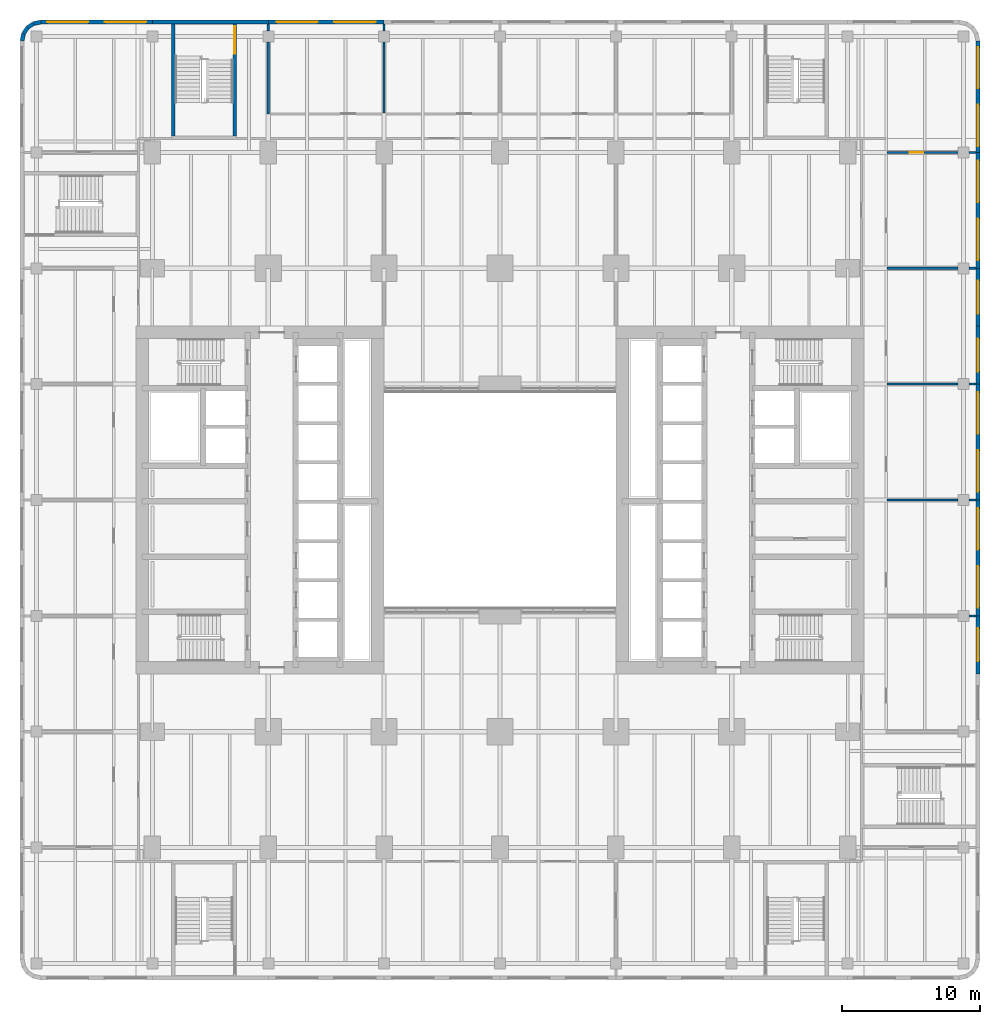
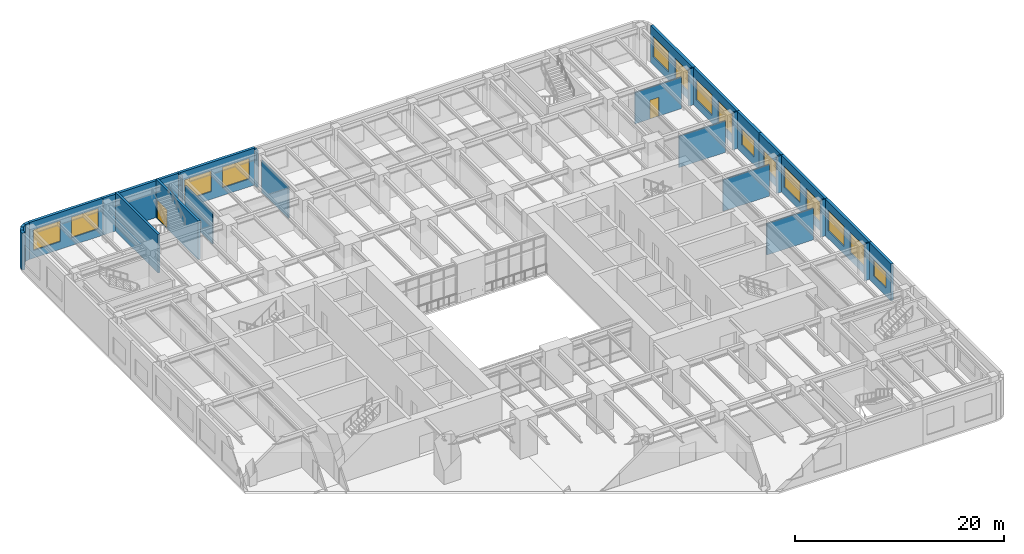
# One storey, part 14 of 26: 29 walls, 15 windows, 2 doors, 17 openings.
"""IFC4 building model written with IfcOpenShell, lengths in metres."""

from ifc_helpers import new_model, si_unit, direction, frame, frame_2d, origin, place, context, subcontext, project, spatial, rectangle, extrude, material, layer, layer_set, type_object, element, fill, save


model = new_model("IFC4")

# Units and contexts
model_context = context("Model", 3, precision=1e-05, world=origin(), true_north=direction((0.0, 1.0)))
body_context = subcontext(model_context, "Body", "Model", "MODEL_VIEW")
ifc_project = project(units=[si_unit("LENGTHUNIT", "METRE"), si_unit("AREAUNIT", "SQUARE_METRE"), si_unit("VOLUMEUNIT", "CUBIC_METRE"), si_unit("PLANEANGLEUNIT", "RADIAN"), si_unit("MASSUNIT", "GRAM", prefix="KILO")], contexts=[model_context])

# Site, building, storey
site_placement = place(None, origin())
site = spatial("IfcSite", under=ifc_project, at=site_placement, CompositionType="ELEMENT")
building_placement = place(site_placement, origin())
building = spatial("IfcBuilding", under=site, at=building_placement, Name="Claustro Exchange Tower", CompositionType="ELEMENT")
storey_placement = place(building_placement, frame((0.0, 0.0, 9.89990234375)))
storey = spatial("IfcBuildingStorey", under=building, at=storey_placement, Name="L02", CompositionType="ELEMENT", Elevation=9.89990234375)

# Wall, opening, door
ifc_material_1 = material(Name="Gypsum board on steel studs", Category="steel")
ifc_layer_1 = layer(ifc_material_1, 0.14990234375)
ifc_layer_set_1 = layer_set([ifc_layer_1], Name="Gypsum board on steel studs")
wall_type_1 = type_object("IfcWallType", Name="P1 150 plasterboard partition", PredefinedType="PARTITIONING", material=ifc_layer_set_1)
wall_1_placement = place(storey_placement, frame((53.27392578125, 50.39990234375, 0.0), z_axis=(0.0, 0.0, 1.0), x_axis=(1.0, 0.0, 0.0)))
wall_1 = element("IfcWall", 1, at=wall_1_placement, inside=storey, type_object=wall_type_1, Name="Partition P1 L02", PredefinedType="PARTITIONING", context=body_context, shape_type="SweptSolid", body=[
    extrude(rectangle(XDim=5.126953125, YDim=0.14990234375, at=frame_2d((2.5634765625, 0.0))), origin(), (0.0, 0.0, 1.0), 3.650146484375),
])
opening_1_placement = place(wall_1_placement, frame((1.6259765625, 0.0, 0.0)))
opening_1 = element("IfcOpeningElement", 2, at=opening_1_placement, cuts=wall_1, Name="Opening D1", PredefinedType="OPENING", context=body_context, shape_type="SweptSolid", body=[
    extrude(rectangle(XDim=1.0, YDim=2.199951171875, at=frame_2d((0.5, 1.10009765625))), frame((0.0, 0.0849609375, 0.0), z_axis=(0.0, -1.0, 0.0), x_axis=(1.0, 0.0, 0.0)), (0.0, 0.0, 1.0), 0.169921875),
])
ifc_material_2 = material(Name="Timber door, oak veneer", Category="wood")
door_type_1 = type_object("IfcDoorType", Name="D1 1000 x 2200 single door", OperationType="SINGLE_SWING_LEFT", PredefinedType="DOOR", material=ifc_material_2)
door_1_placement = place(opening_1_placement, origin())
door_1 = element("IfcDoor", 3, at=door_1_placement, inside=storey, type_object=door_type_1, Name="Door D1 L02", OperationType="SINGLE_SWING_LEFT", OverallHeight=2.199951171875, OverallWidth=1.0, PredefinedType="DOOR", context=body_context, shape_type="SweptSolid", body=[
    extrude(rectangle(XDim=1.0, YDim=2.199951171875, at=frame_2d((0.5, 1.10009765625))), frame((0.0, 0.02490234375, 0.0), z_axis=(0.0, -1.0, 0.0), x_axis=(1.0, 0.0, 0.0)), (0.0, 0.0, 1.0), 0.050048828125),
])
fill(opening_1, door_1)

# Walls
wall_2_placement = place(storey_placement, frame((59.198974609375, 50.39990234375, 0.0), z_axis=(0.0, 0.0, 1.0), x_axis=(1.0, 0.0, 0.0)))
element("IfcWall", 4, at=wall_2_placement, inside=storey, type_object=wall_type_1, Name="Partition P1 L02", PredefinedType="PARTITIONING", context=body_context, shape_type="SweptSolid", body=[
    extrude(rectangle(XDim=0.5029296875, YDim=0.14990234375, at=frame_2d((0.25146484375, 0.0))), origin(), (0.0, 0.0, 1.0), 4.300048828125),
])
wall_3_placement = place(storey_placement, frame((8.39990234375, 53.199951171875, 0.0), z_axis=(0.0, 0.0, 1.0), x_axis=(0.0, 1.0, 0.0)))
element("IfcWall", 5, at=wall_3_placement, inside=storey, type_object=wall_type_1, Name="Partition P1 L02", PredefinedType="PARTITIONING", context=body_context, shape_type="SweptSolid", body=[
    extrude(rectangle(XDim=5.200927734375, YDim=0.14990234375, at=frame_2d((2.6005859375, 0.0))), origin(), (0.0, 0.0, 1.0), 3.650146484375),
])
wall_4_placement = place(storey_placement, frame((8.39990234375, 59.198974609375, 0.0), z_axis=(0.0, 0.0, 1.0), x_axis=(0.0, 1.0, 0.0)))
element("IfcWall", 6, at=wall_4_placement, inside=storey, type_object=wall_type_1, Name="Partition P1 L02", PredefinedType="PARTITIONING", context=body_context, shape_type="SweptSolid", body=[
    extrude(rectangle(XDim=0.5029296875, YDim=0.14990234375, at=frame_2d((0.25146484375, 0.0))), origin(), (0.0, 0.0, 1.0), 4.300048828125),
])
wall_5_placement = place(storey_placement, frame((16.800048828125, 53.27392578125, 0.0), z_axis=(0.0, 0.0, 1.0), x_axis=(0.0, 1.0, 0.0)))
element("IfcWall", 7, at=wall_5_placement, inside=storey, type_object=wall_type_1, Name="Partition P1 L02", PredefinedType="PARTITIONING", context=body_context, shape_type="SweptSolid", body=[
    extrude(rectangle(XDim=5.126953125, YDim=0.14990234375, at=frame_2d((2.5634765625, 0.0))), origin(), (0.0, 0.0, 1.0), 3.650146484375),
])
for number, where, z_axis, x_axis, name in (
    (8, (16.800048828125, 59.198974609375, 0.0), (0.0, 0.0, 1.0), (0.0, 1.0, 0.0), "Partition P1 L02"),
    (9, (59.198974609375, 16.800048828125, 0.0), (0.0, 0.0, 1.0), (1.0, 0.0, 0.0), "Partition P1 L02"),
):
    element("IfcWall", number, at=place(storey_placement, frame(where, z_axis=z_axis, x_axis=x_axis)), inside=storey, type_object=wall_type_1, Name=name, PredefinedType="PARTITIONING", context=body_context, shape_type="SweptSolid", body=[
        extrude(rectangle(XDim=0.5029296875, YDim=0.14990234375, at=frame_2d((0.25146484375, 0.0))), origin(), (0.0, 0.0, 1.0), 4.300048828125),
    ])
wall_6_placement = place(storey_placement, frame((53.27392578125, 25.199951171875, 0.0), z_axis=(0.0, 0.0, 1.0), x_axis=(1.0, 0.0, 0.0)))
element("IfcWall", 10, at=wall_6_placement, inside=storey, type_object=wall_type_1, Name="Partition P1 L02", PredefinedType="PARTITIONING", context=body_context, shape_type="SweptSolid", body=[
    extrude(rectangle(XDim=5.126953125, YDim=0.14990234375, at=frame_2d((2.5634765625, 0.0))), origin(), (0.0, 0.0, 1.0), 3.650146484375),
])
wall_7_placement = place(storey_placement, frame((59.198974609375, 25.199951171875, 0.0), z_axis=(0.0, 0.0, 1.0), x_axis=(1.0, 0.0, 0.0)))
element("IfcWall", 11, at=wall_7_placement, inside=storey, type_object=wall_type_1, Name="Partition P1 L02", PredefinedType="PARTITIONING", context=body_context, shape_type="SweptSolid", body=[
    extrude(rectangle(XDim=0.5029296875, YDim=0.14990234375, at=frame_2d((0.25146484375, 0.0))), origin(), (0.0, 0.0, 1.0), 4.300048828125),
])
wall_8_placement = place(storey_placement, frame((53.27392578125, 33.60009765625, 0.0), z_axis=(0.0, 0.0, 1.0), x_axis=(1.0, 0.0, 0.0)))
element("IfcWall", 12, at=wall_8_placement, inside=storey, type_object=wall_type_1, Name="Partition P1 L02", PredefinedType="PARTITIONING", context=body_context, shape_type="SweptSolid", body=[
    extrude(rectangle(XDim=5.126953125, YDim=0.14990234375, at=frame_2d((2.5634765625, 0.0))), origin(), (0.0, 0.0, 1.0), 3.650146484375),
])
wall_9_placement = place(storey_placement, frame((59.198974609375, 33.60009765625, 0.0), z_axis=(0.0, 0.0, 1.0), x_axis=(1.0, 0.0, 0.0)))
element("IfcWall", 13, at=wall_9_placement, inside=storey, type_object=wall_type_1, Name="Partition P1 L02", PredefinedType="PARTITIONING", context=body_context, shape_type="SweptSolid", body=[
    extrude(rectangle(XDim=0.5029296875, YDim=0.14990234375, at=frame_2d((0.25146484375, 0.0))), origin(), (0.0, 0.0, 1.0), 4.300048828125),
])
wall_10_placement = place(storey_placement, frame((53.27392578125, 42.0, 0.0), z_axis=(0.0, 0.0, 1.0), x_axis=(1.0, 0.0, 0.0)))
element("IfcWall", 14, at=wall_10_placement, inside=storey, type_object=wall_type_1, Name="Partition P1 L02", PredefinedType="PARTITIONING", context=body_context, shape_type="SweptSolid", body=[
    extrude(rectangle(XDim=5.126953125, YDim=0.14990234375, at=frame_2d((2.5634765625, 0.0))), origin(), (0.0, 0.0, 1.0), 3.650146484375),
])
wall_11_placement = place(storey_placement, frame((59.198974609375, 42.0, 0.0), z_axis=(0.0, 0.0, 1.0), x_axis=(1.0, 0.0, 0.0)))
element("IfcWall", 15, at=wall_11_placement, inside=storey, type_object=wall_type_1, Name="Partition P1 L02", PredefinedType="PARTITIONING", context=body_context, shape_type="SweptSolid", body=[
    extrude(rectangle(XDim=0.5029296875, YDim=0.14990234375, at=frame_2d((0.25146484375, 0.0))), origin(), (0.0, 0.0, 1.0), 4.300048828125),
])
ifc_material_3 = material(Name="Concrete HA-40 (C40/50), precast, white cement, acid-etched", Category="concrete")
ifc_layer_2 = layer(ifc_material_3, 0.300048828125)
ifc_layer_set_2 = layer_set([ifc_layer_2], Name="Concrete HA-40 (C40/50), precast, white cement, acid-etched")
wall_type_2 = type_object("IfcWallType", Name="PC1 300 precast concrete pier panel", PredefinedType="SOLIDWALL", material=ifc_layer_set_2)
wall_12_placement = place(storey_placement, frame((-9.449951171875, 58.485107421875, 0.0), z_axis=(0.0, 0.0, 1.0), x_axis=(0.195073962632, 0.980788534345, 0.0)))
element("IfcWall", 16, at=wall_12_placement, inside=storey, type_object=wall_type_2, Name="Precast pier panel PC1 L02", PredefinedType="SOLIDWALL", context=body_context, shape_type="SweptSolid", body=[
    extrude(rectangle(XDim=0.540771484375, YDim=0.300048828125, at=frame_2d((0.2705078125, 0.0))), origin(), (0.0, 0.0, 1.0), 4.300048828125),
])
wall_13_placement = place(storey_placement, frame((-9.344482421875, 59.015380859375, 0.0), z_axis=(0.0, 0.0, 1.0), x_axis=(0.55534295404, 0.831621430339, 0.0)))
element("IfcWall", 17, at=wall_13_placement, inside=storey, type_object=wall_type_2, Name="Precast pier panel PC1 L02", PredefinedType="SOLIDWALL", context=body_context, shape_type="SweptSolid", body=[
    extrude(rectangle(XDim=0.52587890625, YDim=0.300048828125, at=frame_2d((0.262939453125, 0.0))), origin(), (0.0, 0.0, 1.0), 4.300048828125),
])
wall_14_placement = place(storey_placement, frame((-9.052490234375, 59.45263671875, 0.0), z_axis=(0.0, 0.0, 1.0), x_axis=(0.831692711774, 0.555236195849, 0.0)))
element("IfcWall", 18, at=wall_14_placement, inside=storey, type_object=wall_type_2, Name="Precast pier panel PC1 L02", PredefinedType="SOLIDWALL", context=body_context, shape_type="SweptSolid", body=[
    extrude(rectangle(XDim=0.525390625, YDim=0.300048828125, at=frame_2d((0.2626953125, 0.0))), origin(), (0.0, 0.0, 1.0), 4.300048828125),
])
wall_15_placement = place(storey_placement, frame((-8.615478515625, 59.744384765625, 0.0), z_axis=(0.0, 0.0, 1.0), x_axis=(0.980702050465, 0.1955082817, 0.0)))
element("IfcWall", 19, at=wall_15_placement, inside=storey, type_object=wall_type_2, Name="Precast pier panel PC1 L02", PredefinedType="SOLIDWALL", context=body_context, shape_type="SweptSolid", body=[
    extrude(rectangle(XDim=0.540771484375, YDim=0.300048828125, at=frame_2d((0.2705078125, 0.0))), origin(), (0.0, 0.0, 1.0), 4.300048828125),
])

# Wall, openings, windows
wall_16_placement = place(storey_placement, frame((-8.085205078125, 59.85009765625, 0.0), z_axis=(0.0, 0.0, 1.0), x_axis=(1.0, 0.0, 0.0)))
wall_16 = element("IfcWall", 20, at=wall_16_placement, inside=storey, type_object=wall_type_2, Name="Precast pier panel PC1 L02", PredefinedType="SOLIDWALL", context=body_context, shape_type="SweptSolid", body=[
    extrude(rectangle(XDim=8.085205078125, YDim=0.300048828125, at=frame_2d((4.04248046875, 0.0))), origin(), (0.0, 0.0, 1.0), 4.300048828125),
])
opening_2_placement = place(wall_16_placement, frame((0.442626953125, 0.0, 0.89990234375)))
opening_2 = element("IfcOpeningElement", 21, at=opening_2_placement, cuts=wall_16, Name="Opening W3", PredefinedType="OPENING", context=body_context, shape_type="SweptSolid", body=[
    extrude(rectangle(XDim=3.0, YDim=2.39990234375, at=frame_2d((1.5, 1.199951171875))), frame((0.0, 0.159912109375, 0.0), z_axis=(0.0, -1.0, 0.0), x_axis=(1.0, 0.0, 0.0)), (0.0, 0.0, 1.0), 0.320068359375),
])
opening_3_placement = place(wall_16_placement, frame((4.642578125, 0.0, 0.89990234375)))
opening_3 = element("IfcOpeningElement", 22, at=opening_3_placement, cuts=wall_16, Name="Opening W3", PredefinedType="OPENING", context=body_context, shape_type="SweptSolid", body=[
    extrude(rectangle(XDim=3.0, YDim=2.39990234375, at=frame_2d((1.5, 1.199951171875))), frame((0.0, 0.159912109375, 0.0), z_axis=(0.0, -1.0, 0.0), x_axis=(1.0, 0.0, 0.0)), (0.0, 0.0, 1.0), 0.320068359375),
])
ifc_material_4 = material(Name="Aluminium frame, clear double glazing", Category="aluminium")
window_type_1 = type_object("IfcWindowType", Name="W3 3000 x 2400 window", PartitioningType="SINGLE_PANEL", PredefinedType="WINDOW", material=ifc_material_4)
window_1_placement = place(opening_2_placement, origin())
window_1 = element("IfcWindow", 23, at=window_1_placement, inside=storey, type_object=window_type_1, Name="Window W3 L02", OverallHeight=2.39990234375, OverallWidth=3.0, PartitioningType="SINGLE_PANEL", PredefinedType="WINDOW", context=body_context, shape_type="SweptSolid", body=[
    extrude(rectangle(XDim=3.0, YDim=2.39990234375, at=frame_2d((1.5, 1.199951171875))), frame((0.0, 0.030029296875, 0.0), z_axis=(0.0, -1.0, 0.0), x_axis=(1.0, 0.0, 0.0)), (0.0, 0.0, 1.0), 0.06005859375),
])
fill(opening_2, window_1)
window_2_placement = place(opening_3_placement, origin())
window_2 = element("IfcWindow", 24, at=window_2_placement, inside=storey, type_object=window_type_1, Name="Window W3 L02", OverallHeight=2.39990234375, OverallWidth=3.0, PartitioningType="SINGLE_PANEL", PredefinedType="WINDOW", context=body_context, shape_type="SweptSolid", body=[
    extrude(rectangle(XDim=3.0, YDim=2.39990234375, at=frame_2d((1.5, 1.199951171875))), frame((0.0, 0.030029296875, 0.0), z_axis=(0.0, -1.0, 0.0), x_axis=(1.0, 0.0, 0.0)), (0.0, 0.0, 1.0), 0.06005859375),
])
fill(opening_3, window_2)

# Wall
wall_17_placement = place(storey_placement, frame((0.0, 59.85009765625, 0.0), z_axis=(0.0, 0.0, 1.0), x_axis=(1.0, 0.0, 0.0)))
element("IfcWall", 25, at=wall_17_placement, inside=storey, type_object=wall_type_2, Name="Precast pier panel PC1 L02", PredefinedType="SOLIDWALL", context=body_context, shape_type="SweptSolid", body=[
    extrude(rectangle(XDim=8.39990234375, YDim=0.300048828125, at=frame_2d((4.199951171875, 0.0))), origin(), (0.0, 0.0, 1.0), 4.300048828125),
])

# Wall, openings, windows
wall_18_placement = place(storey_placement, frame((8.39990234375, 59.85009765625, 0.0), z_axis=(0.0, 0.0, 1.0), x_axis=(1.0, 0.0, 0.0)))
wall_18 = element("IfcWall", 26, at=wall_18_placement, inside=storey, type_object=wall_type_2, Name="Precast pier panel PC1 L02", PredefinedType="SOLIDWALL", context=body_context, shape_type="SweptSolid", body=[
    extrude(rectangle(XDim=8.400146484375, YDim=0.300048828125, at=frame_2d((4.2001953125, 0.0))), origin(), (0.0, 0.0, 1.0), 4.300048828125),
])
opening_4_placement = place(wall_18_placement, frame((0.60009765625, 0.0, 0.89990234375)))
opening_4 = element("IfcOpeningElement", 27, at=opening_4_placement, cuts=wall_18, Name="Opening W3", PredefinedType="OPENING", context=body_context, shape_type="SweptSolid", body=[
    extrude(rectangle(XDim=3.0, YDim=2.39990234375, at=frame_2d((1.5, 1.199951171875))), frame((0.0, 0.159912109375, 0.0), z_axis=(0.0, -1.0, 0.0), x_axis=(1.0, 0.0, 0.0)), (0.0, 0.0, 1.0), 0.320068359375),
])
opening_5_placement = place(wall_18_placement, frame((4.800048828125, 0.0, 0.89990234375)))
opening_5 = element("IfcOpeningElement", 28, at=opening_5_placement, cuts=wall_18, Name="Opening W3", PredefinedType="OPENING", context=body_context, shape_type="SweptSolid", body=[
    extrude(rectangle(XDim=3.0, YDim=2.39990234375, at=frame_2d((1.5, 1.199951171875))), frame((0.0, 0.159912109375, 0.0), z_axis=(0.0, -1.0, 0.0), x_axis=(1.0, 0.0, 0.0)), (0.0, 0.0, 1.0), 0.320068359375),
])
window_3_placement = place(opening_4_placement, origin())
window_3 = element("IfcWindow", 29, at=window_3_placement, inside=storey, type_object=window_type_1, Name="Window W3 L02", OverallHeight=2.39990234375, OverallWidth=3.0, PartitioningType="SINGLE_PANEL", PredefinedType="WINDOW", context=body_context, shape_type="SweptSolid", body=[
    extrude(rectangle(XDim=3.0, YDim=2.39990234375, at=frame_2d((1.5, 1.199951171875))), frame((0.0, 0.030029296875, 0.0), z_axis=(0.0, -1.0, 0.0), x_axis=(1.0, 0.0, 0.0)), (0.0, 0.0, 1.0), 0.06005859375),
])
fill(opening_4, window_3)
window_4_placement = place(opening_5_placement, origin())
window_4 = element("IfcWindow", 30, at=window_4_placement, inside=storey, type_object=window_type_1, Name="Window W3 L02", OverallHeight=2.39990234375, OverallWidth=3.0, PartitioningType="SINGLE_PANEL", PredefinedType="WINDOW", context=body_context, shape_type="SweptSolid", body=[
    extrude(rectangle(XDim=3.0, YDim=2.39990234375, at=frame_2d((1.5, 1.199951171875))), frame((0.0, 0.030029296875, 0.0), z_axis=(0.0, -1.0, 0.0), x_axis=(1.0, 0.0, 0.0)), (0.0, 0.0, 1.0), 0.06005859375),
])
fill(opening_5, window_4)

wall_19_placement = place(storey_placement, frame((59.85009765625, 58.485107421875, 0.0), z_axis=(0.0, 0.0, 1.0), x_axis=(0.0, -1.0, 0.0)))
wall_19 = element("IfcWall", 31, at=wall_19_placement, inside=storey, type_object=wall_type_2, Name="Precast pier panel PC1 L02", PredefinedType="SOLIDWALL", context=body_context, shape_type="SweptSolid", body=[
    extrude(rectangle(XDim=8.085205078125, YDim=0.300048828125, at=frame_2d((4.04248046875, 0.0))), origin(), (0.0, 0.0, 1.0), 4.300048828125),
])
opening_6_placement = place(wall_19_placement, frame((0.442626953125, 0.0, 0.89990234375)))
opening_6 = element("IfcOpeningElement", 32, at=opening_6_placement, cuts=wall_19, Name="Opening W3", PredefinedType="OPENING", context=body_context, shape_type="SweptSolid", body=[
    extrude(rectangle(XDim=3.0, YDim=2.39990234375, at=frame_2d((1.5, 1.199951171875))), frame((0.0, 0.159912109375, 0.0), z_axis=(0.0, -1.0, 0.0), x_axis=(1.0, 0.0, 0.0)), (0.0, 0.0, 1.0), 0.320068359375),
])
opening_7_placement = place(wall_19_placement, frame((4.642578125, 0.0, 0.89990234375)))
opening_7 = element("IfcOpeningElement", 33, at=opening_7_placement, cuts=wall_19, Name="Opening W3", PredefinedType="OPENING", context=body_context, shape_type="SweptSolid", body=[
    extrude(rectangle(XDim=3.0, YDim=2.39990234375, at=frame_2d((1.5, 1.199951171875))), frame((0.0, 0.159912109375, 0.0), z_axis=(0.0, -1.0, 0.0), x_axis=(1.0, 0.0, 0.0)), (0.0, 0.0, 1.0), 0.320068359375),
])
window_5_placement = place(opening_6_placement, origin())
window_5 = element("IfcWindow", 34, at=window_5_placement, inside=storey, type_object=window_type_1, Name="Window W3 L02", OverallHeight=2.39990234375, OverallWidth=3.0, PartitioningType="SINGLE_PANEL", PredefinedType="WINDOW", context=body_context, shape_type="SweptSolid", body=[
    extrude(rectangle(XDim=3.0, YDim=2.39990234375, at=frame_2d((1.5, 1.199951171875))), frame((0.0, 0.030029296875, 0.0), z_axis=(0.0, -1.0, 0.0), x_axis=(1.0, 0.0, 0.0)), (0.0, 0.0, 1.0), 0.06005859375),
])
fill(opening_6, window_5)
window_6_placement = place(opening_7_placement, origin())
window_6 = element("IfcWindow", 35, at=window_6_placement, inside=storey, type_object=window_type_1, Name="Window W3 L02", OverallHeight=2.39990234375, OverallWidth=3.0, PartitioningType="SINGLE_PANEL", PredefinedType="WINDOW", context=body_context, shape_type="SweptSolid", body=[
    extrude(rectangle(XDim=3.0, YDim=2.39990234375, at=frame_2d((1.5, 1.199951171875))), frame((0.0, 0.030029296875, 0.0), z_axis=(0.0, -1.0, 0.0), x_axis=(1.0, 0.0, 0.0)), (0.0, 0.0, 1.0), 0.06005859375),
])
fill(opening_7, window_6)

wall_20_placement = place(storey_placement, frame((59.85009765625, 50.39990234375, 0.0), z_axis=(0.0, 0.0, 1.0), x_axis=(0.0, -1.0, 0.0)))
wall_20 = element("IfcWall", 36, at=wall_20_placement, inside=storey, type_object=wall_type_2, Name="Precast pier panel PC1 L02", PredefinedType="SOLIDWALL", context=body_context, shape_type="SweptSolid", body=[
    extrude(rectangle(XDim=8.39990234375, YDim=0.300048828125, at=frame_2d((4.199951171875, 0.0))), origin(), (0.0, 0.0, 1.0), 4.300048828125),
])
opening_8_placement = place(wall_20_placement, frame((0.60009765625, 0.0, 0.89990234375)))
opening_8 = element("IfcOpeningElement", 37, at=opening_8_placement, cuts=wall_20, Name="Opening W3", PredefinedType="OPENING", context=body_context, shape_type="SweptSolid", body=[
    extrude(rectangle(XDim=3.0, YDim=2.39990234375, at=frame_2d((1.5, 1.199951171875))), frame((0.0, 0.159912109375, 0.0), z_axis=(0.0, -1.0, 0.0), x_axis=(1.0, 0.0, 0.0)), (0.0, 0.0, 1.0), 0.320068359375),
])
opening_9_placement = place(wall_20_placement, frame((4.800048828125, 0.0, 0.89990234375)))
opening_9 = element("IfcOpeningElement", 38, at=opening_9_placement, cuts=wall_20, Name="Opening W3", PredefinedType="OPENING", context=body_context, shape_type="SweptSolid", body=[
    extrude(rectangle(XDim=3.0, YDim=2.39990234375, at=frame_2d((1.5, 1.199951171875))), frame((0.0, 0.159912109375, 0.0), z_axis=(0.0, -1.0, 0.0), x_axis=(1.0, 0.0, 0.0)), (0.0, 0.0, 1.0), 0.320068359375),
])
window_7_placement = place(opening_8_placement, origin())
window_7 = element("IfcWindow", 39, at=window_7_placement, inside=storey, type_object=window_type_1, Name="Window W3 L02", OverallHeight=2.39990234375, OverallWidth=3.0, PartitioningType="SINGLE_PANEL", PredefinedType="WINDOW", context=body_context, shape_type="SweptSolid", body=[
    extrude(rectangle(XDim=3.0, YDim=2.39990234375, at=frame_2d((1.5, 1.199951171875))), frame((0.0, 0.030029296875, 0.0), z_axis=(0.0, -1.0, 0.0), x_axis=(1.0, 0.0, 0.0)), (0.0, 0.0, 1.0), 0.06005859375),
])
fill(opening_8, window_7)
window_8_placement = place(opening_9_placement, origin())
window_8 = element("IfcWindow", 40, at=window_8_placement, inside=storey, type_object=window_type_1, Name="Window W3 L02", OverallHeight=2.39990234375, OverallWidth=3.0, PartitioningType="SINGLE_PANEL", PredefinedType="WINDOW", context=body_context, shape_type="SweptSolid", body=[
    extrude(rectangle(XDim=3.0, YDim=2.39990234375, at=frame_2d((1.5, 1.199951171875))), frame((0.0, 0.030029296875, 0.0), z_axis=(0.0, -1.0, 0.0), x_axis=(1.0, 0.0, 0.0)), (0.0, 0.0, 1.0), 0.06005859375),
])
fill(opening_9, window_8)

# Wall, opening, window
wall_21_placement = place(storey_placement, frame((59.85009765625, 42.0, 0.0), z_axis=(0.0, 0.0, 1.0), x_axis=(0.0, -1.0, 0.0)))
wall_21 = element("IfcWall", 41, at=wall_21_placement, inside=storey, type_object=wall_type_2, Name="Precast pier panel PC1 L02", PredefinedType="SOLIDWALL", context=body_context, shape_type="SweptSolid", body=[
    extrude(rectangle(XDim=4.199951171875, YDim=0.300048828125, at=frame_2d((2.10009765625, 0.0))), origin(), (0.0, 0.0, 1.0), 4.300048828125),
])
opening_10_placement = place(wall_21_placement, frame((0.89990234375, 0.0, 0.89990234375)))
opening_10 = element("IfcOpeningElement", 42, at=opening_10_placement, cuts=wall_21, Name="Opening W2", PredefinedType="OPENING", context=body_context, shape_type="SweptSolid", body=[
    extrude(rectangle(XDim=2.39990234375, YDim=1.89990234375, at=frame_2d((1.199951171875, 0.949951171875))), frame((0.0, 0.159912109375, 0.0), z_axis=(0.0, -1.0, 0.0), x_axis=(1.0, 0.0, 0.0)), (0.0, 0.0, 1.0), 0.320068359375),
])
ifc_material_5 = material(Name="Aluminium frame, clear double glazing", Category="aluminium")
window_type_2 = type_object("IfcWindowType", Name="W2 2400 x 1900 window", PartitioningType="SINGLE_PANEL", PredefinedType="WINDOW", material=ifc_material_5)
window_9_placement = place(opening_10_placement, origin())
window_9 = element("IfcWindow", 43, at=window_9_placement, inside=storey, type_object=window_type_2, Name="Window W2 L02", OverallHeight=1.89990234375, OverallWidth=2.39990234375, PartitioningType="SINGLE_PANEL", PredefinedType="WINDOW", context=body_context, shape_type="SweptSolid", body=[
    extrude(rectangle(XDim=2.39990234375, YDim=1.89990234375, at=frame_2d((1.199951171875, 0.949951171875))), frame((0.0, 0.030029296875, 0.0), z_axis=(0.0, -1.0, 0.0), x_axis=(1.0, 0.0, 0.0)), (0.0, 0.0, 1.0), 0.06005859375),
])
fill(opening_10, window_9)

wall_22_placement = place(storey_placement, frame((59.85009765625, 37.800048828125, 0.0), z_axis=(0.0, 0.0, 1.0), x_axis=(0.0, -1.0, 0.0)))
wall_22 = element("IfcWall", 44, at=wall_22_placement, inside=storey, type_object=wall_type_2, Name="Precast pier panel PC1 L02", PredefinedType="SOLIDWALL", context=body_context, shape_type="SweptSolid", body=[
    extrude(rectangle(XDim=4.199951171875, YDim=0.300048828125, at=frame_2d((2.10009765625, 0.0))), origin(), (0.0, 0.0, 1.0), 4.300048828125),
])
opening_11_placement = place(wall_22_placement, frame((0.89990234375, 0.0, 0.89990234375)))
opening_11 = element("IfcOpeningElement", 45, at=opening_11_placement, cuts=wall_22, Name="Opening W2", PredefinedType="OPENING", context=body_context, shape_type="SweptSolid", body=[
    extrude(rectangle(XDim=2.39990234375, YDim=1.89990234375, at=frame_2d((1.199951171875, 0.949951171875))), frame((0.0, 0.159912109375, 0.0), z_axis=(0.0, -1.0, 0.0), x_axis=(1.0, 0.0, 0.0)), (0.0, 0.0, 1.0), 0.320068359375),
])
window_10_placement = place(opening_11_placement, origin())
window_10 = element("IfcWindow", 46, at=window_10_placement, inside=storey, type_object=window_type_2, Name="Window W2 L02", OverallHeight=1.89990234375, OverallWidth=2.39990234375, PartitioningType="SINGLE_PANEL", PredefinedType="WINDOW", context=body_context, shape_type="SweptSolid", body=[
    extrude(rectangle(XDim=2.39990234375, YDim=1.89990234375, at=frame_2d((1.199951171875, 0.949951171875))), frame((0.0, 0.030029296875, 0.0), z_axis=(0.0, -1.0, 0.0), x_axis=(1.0, 0.0, 0.0)), (0.0, 0.0, 1.0), 0.06005859375),
])
fill(opening_11, window_10)

# Wall, openings, windows
wall_23_placement = place(storey_placement, frame((59.85009765625, 33.60009765625, 0.0), z_axis=(0.0, 0.0, 1.0), x_axis=(0.0, -1.0, 0.0)))
wall_23 = element("IfcWall", 47, at=wall_23_placement, inside=storey, type_object=wall_type_2, Name="Precast pier panel PC1 L02", PredefinedType="SOLIDWALL", context=body_context, shape_type="SweptSolid", body=[
    extrude(rectangle(XDim=8.400146484375, YDim=0.300048828125, at=frame_2d((4.2001953125, 0.0))), origin(), (0.0, 0.0, 1.0), 4.300048828125),
])
opening_12_placement = place(wall_23_placement, frame((0.60009765625, 0.0, 0.89990234375)))
opening_12 = element("IfcOpeningElement", 48, at=opening_12_placement, cuts=wall_23, Name="Opening W3", PredefinedType="OPENING", context=body_context, shape_type="SweptSolid", body=[
    extrude(rectangle(XDim=3.0, YDim=2.39990234375, at=frame_2d((1.5, 1.199951171875))), frame((0.0, 0.159912109375, 0.0), z_axis=(0.0, -1.0, 0.0), x_axis=(1.0, 0.0, 0.0)), (0.0, 0.0, 1.0), 0.320068359375),
])
opening_13_placement = place(wall_23_placement, frame((4.800048828125, 0.0, 0.89990234375)))
opening_13 = element("IfcOpeningElement", 49, at=opening_13_placement, cuts=wall_23, Name="Opening W3", PredefinedType="OPENING", context=body_context, shape_type="SweptSolid", body=[
    extrude(rectangle(XDim=3.0, YDim=2.39990234375, at=frame_2d((1.5, 1.199951171875))), frame((0.0, 0.159912109375, 0.0), z_axis=(0.0, -1.0, 0.0), x_axis=(1.0, 0.0, 0.0)), (0.0, 0.0, 1.0), 0.320068359375),
])
window_11_placement = place(opening_12_placement, origin())
window_11 = element("IfcWindow", 50, at=window_11_placement, inside=storey, type_object=window_type_1, Name="Window W3 L02", OverallHeight=2.39990234375, OverallWidth=3.0, PartitioningType="SINGLE_PANEL", PredefinedType="WINDOW", context=body_context, shape_type="SweptSolid", body=[
    extrude(rectangle(XDim=3.0, YDim=2.39990234375, at=frame_2d((1.5, 1.199951171875))), frame((0.0, 0.030029296875, 0.0), z_axis=(0.0, -1.0, 0.0), x_axis=(1.0, 0.0, 0.0)), (0.0, 0.0, 1.0), 0.06005859375),
])
fill(opening_12, window_11)
window_12_placement = place(opening_13_placement, origin())
window_12 = element("IfcWindow", 51, at=window_12_placement, inside=storey, type_object=window_type_1, Name="Window W3 L02", OverallHeight=2.39990234375, OverallWidth=3.0, PartitioningType="SINGLE_PANEL", PredefinedType="WINDOW", context=body_context, shape_type="SweptSolid", body=[
    extrude(rectangle(XDim=3.0, YDim=2.39990234375, at=frame_2d((1.5, 1.199951171875))), frame((0.0, 0.030029296875, 0.0), z_axis=(0.0, -1.0, 0.0), x_axis=(1.0, 0.0, 0.0)), (0.0, 0.0, 1.0), 0.06005859375),
])
fill(opening_13, window_12)

wall_24_placement = place(storey_placement, frame((59.85009765625, 25.199951171875, 0.0), z_axis=(0.0, 0.0, 1.0), x_axis=(0.0, -1.0, 0.0)))
wall_24 = element("IfcWall", 52, at=wall_24_placement, inside=storey, type_object=wall_type_2, Name="Precast pier panel PC1 L02", PredefinedType="SOLIDWALL", context=body_context, shape_type="SweptSolid", body=[
    extrude(rectangle(XDim=8.39990234375, YDim=0.300048828125, at=frame_2d((4.199951171875, 0.0))), origin(), (0.0, 0.0, 1.0), 4.300048828125),
])
opening_14_placement = place(wall_24_placement, frame((0.60009765625, 0.0, 0.89990234375)))
opening_14 = element("IfcOpeningElement", 53, at=opening_14_placement, cuts=wall_24, Name="Opening W3", PredefinedType="OPENING", context=body_context, shape_type="SweptSolid", body=[
    extrude(rectangle(XDim=3.0, YDim=2.39990234375, at=frame_2d((1.5, 1.199951171875))), frame((0.0, 0.159912109375, 0.0), z_axis=(0.0, -1.0, 0.0), x_axis=(1.0, 0.0, 0.0)), (0.0, 0.0, 1.0), 0.320068359375),
])
opening_15_placement = place(wall_24_placement, frame((4.800048828125, 0.0, 0.89990234375)))
opening_15 = element("IfcOpeningElement", 54, at=opening_15_placement, cuts=wall_24, Name="Opening W3", PredefinedType="OPENING", context=body_context, shape_type="SweptSolid", body=[
    extrude(rectangle(XDim=3.0, YDim=2.39990234375, at=frame_2d((1.5, 1.199951171875))), frame((0.0, 0.159912109375, 0.0), z_axis=(0.0, -1.0, 0.0), x_axis=(1.0, 0.0, 0.0)), (0.0, 0.0, 1.0), 0.320068359375),
])
window_13_placement = place(opening_14_placement, origin())
window_13 = element("IfcWindow", 55, at=window_13_placement, inside=storey, type_object=window_type_1, Name="Window W3 L02", OverallHeight=2.39990234375, OverallWidth=3.0, PartitioningType="SINGLE_PANEL", PredefinedType="WINDOW", context=body_context, shape_type="SweptSolid", body=[
    extrude(rectangle(XDim=3.0, YDim=2.39990234375, at=frame_2d((1.5, 1.199951171875))), frame((0.0, 0.030029296875, 0.0), z_axis=(0.0, -1.0, 0.0), x_axis=(1.0, 0.0, 0.0)), (0.0, 0.0, 1.0), 0.06005859375),
])
fill(opening_14, window_13)
window_14_placement = place(opening_15_placement, origin())
window_14 = element("IfcWindow", 56, at=window_14_placement, inside=storey, type_object=window_type_1, Name="Window W3 L02", OverallHeight=2.39990234375, OverallWidth=3.0, PartitioningType="SINGLE_PANEL", PredefinedType="WINDOW", context=body_context, shape_type="SweptSolid", body=[
    extrude(rectangle(XDim=3.0, YDim=2.39990234375, at=frame_2d((1.5, 1.199951171875))), frame((0.0, 0.030029296875, 0.0), z_axis=(0.0, -1.0, 0.0), x_axis=(1.0, 0.0, 0.0)), (0.0, 0.0, 1.0), 0.06005859375),
])
fill(opening_15, window_14)

# Wall, opening, window
wall_25_placement = place(storey_placement, frame((59.85009765625, 16.800048828125, 0.0), z_axis=(0.0, 0.0, 1.0), x_axis=(0.0, -1.0, 0.0)))
wall_25 = element("IfcWall", 57, at=wall_25_placement, inside=storey, type_object=wall_type_2, Name="Precast pier panel PC1 L02", PredefinedType="SOLIDWALL", context=body_context, shape_type="SweptSolid", body=[
    extrude(rectangle(XDim=4.199951171875, YDim=0.300048828125, at=frame_2d((2.10009765625, 0.0))), origin(), (0.0, 0.0, 1.0), 4.300048828125),
])
opening_16_placement = place(wall_25_placement, frame((0.89990234375, 0.0, 0.89990234375)))
opening_16 = element("IfcOpeningElement", 58, at=opening_16_placement, cuts=wall_25, Name="Opening W2", PredefinedType="OPENING", context=body_context, shape_type="SweptSolid", body=[
    extrude(rectangle(XDim=2.39990234375, YDim=1.89990234375, at=frame_2d((1.199951171875, 0.949951171875))), frame((0.0, 0.159912109375, 0.0), z_axis=(0.0, -1.0, 0.0), x_axis=(1.0, 0.0, 0.0)), (0.0, 0.0, 1.0), 0.320068359375),
])
window_15_placement = place(opening_16_placement, origin())
window_15 = element("IfcWindow", 59, at=window_15_placement, inside=storey, type_object=window_type_2, Name="Window W2 L02", OverallHeight=1.89990234375, OverallWidth=2.39990234375, PartitioningType="SINGLE_PANEL", PredefinedType="WINDOW", context=body_context, shape_type="SweptSolid", body=[
    extrude(rectangle(XDim=2.39990234375, YDim=1.89990234375, at=frame_2d((1.199951171875, 0.949951171875))), frame((0.0, 0.030029296875, 0.0), z_axis=(0.0, -1.0, 0.0), x_axis=(1.0, 0.0, 0.0)), (0.0, 0.0, 1.0), 0.06005859375),
])
fill(opening_16, window_15)

# Wall
ifc_material_6 = material(Name="Concrete HA-40 (C40/50)", Category="concrete")
ifc_layer_3 = layer(ifc_material_6, 0.25)
ifc_layer_set_3 = layer_set([ifc_layer_3], Name="Concrete HA-40 (C40/50)")
wall_type_3 = type_object("IfcWallType", Name="SW7 250 reinforced concrete stair wall", PredefinedType="SOLIDWALL", material=ifc_layer_set_3)
wall_26_placement = place(storey_placement, frame((1.52490234375, 59.701904296875, 0.0), z_axis=(0.0, 0.0, 1.0), x_axis=(0.0, -1.0, 0.0)))
element("IfcWall", 60, at=wall_26_placement, inside=storey, type_object=wall_type_3, Name="Stair enclosure wall STP3 SW7 L02", PredefinedType="SOLIDWALL", context=body_context, shape_type="SweptSolid", body=[
    extrude(rectangle(XDim=8.101806640625, YDim=0.25, at=frame_2d((4.05078125, 0.0))), origin(), (0.0, 0.0, 1.0), 4.5),
])

# Wall, opening, door
wall_27_placement = place(storey_placement, frame((5.97509765625, 59.701904296875, 0.0), z_axis=(0.0, 0.0, 1.0), x_axis=(0.0, -1.0, 0.0)))
wall_27 = element("IfcWall", 61, at=wall_27_placement, inside=storey, type_object=wall_type_3, Name="Stair enclosure wall STP3 SW7 L02", PredefinedType="SOLIDWALL", context=body_context, shape_type="SweptSolid", body=[
    extrude(rectangle(XDim=8.101806640625, YDim=0.25, at=frame_2d((4.05078125, 0.0))), origin(), (0.0, 0.0, 1.0), 4.5),
])
opening_17_placement = place(wall_27_placement, frame((0.14990234375, 0.0, 0.0)))
opening_17 = element("IfcOpeningElement", 62, at=opening_17_placement, cuts=wall_27, Name="Opening D11", PredefinedType="OPENING", context=body_context, shape_type="SweptSolid", body=[
    extrude(rectangle(XDim=2.0, YDim=2.199951171875, at=frame_2d((1.0, 1.10009765625))), frame((0.0, 0.135009765625, 0.0), z_axis=(0.0, -1.0, 0.0), x_axis=(1.0, 0.0, 0.0)), (0.0, 0.0, 1.0), 0.27001953125),
])
ifc_material_7 = material(Name="Steel fire door, painted", Category="steel")
door_type_2 = type_object("IfcDoorType", Name="D11 2000 x 2200 fire-rated stair double door", OperationType="DOUBLE_DOOR_SINGLE_SWING", PredefinedType="DOOR", material=ifc_material_7)
door_2_placement = place(opening_17_placement, frame((2.0, 0.0, 0.0), z_axis=(0.0, 0.0, 1.0), x_axis=(-1.0, 0.0, 0.0)))
door_2 = element("IfcDoor", 63, at=door_2_placement, inside=storey, type_object=door_type_2, Name="Stair door STP3 D11 L02", OperationType="DOUBLE_DOOR_SINGLE_SWING", OverallHeight=2.199951171875, OverallWidth=2.0, PredefinedType="DOOR", context=body_context, shape_type="SweptSolid", body=[
    extrude(rectangle(XDim=2.0, YDim=2.199951171875, at=frame_2d((1.0, 1.10009765625))), frame((0.0, 0.02490234375, 0.0), z_axis=(0.0, -1.0, 0.0), x_axis=(1.0, 0.0, 0.0)), (0.0, 0.0, 1.0), 0.050048828125),
])
fill(opening_17, door_2)

save(model, "model.ifc")
